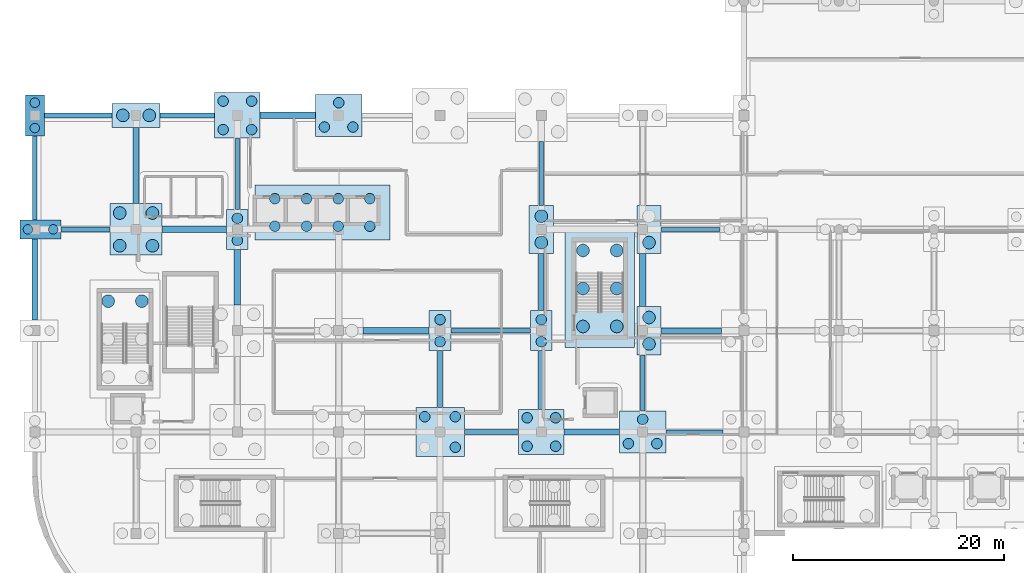
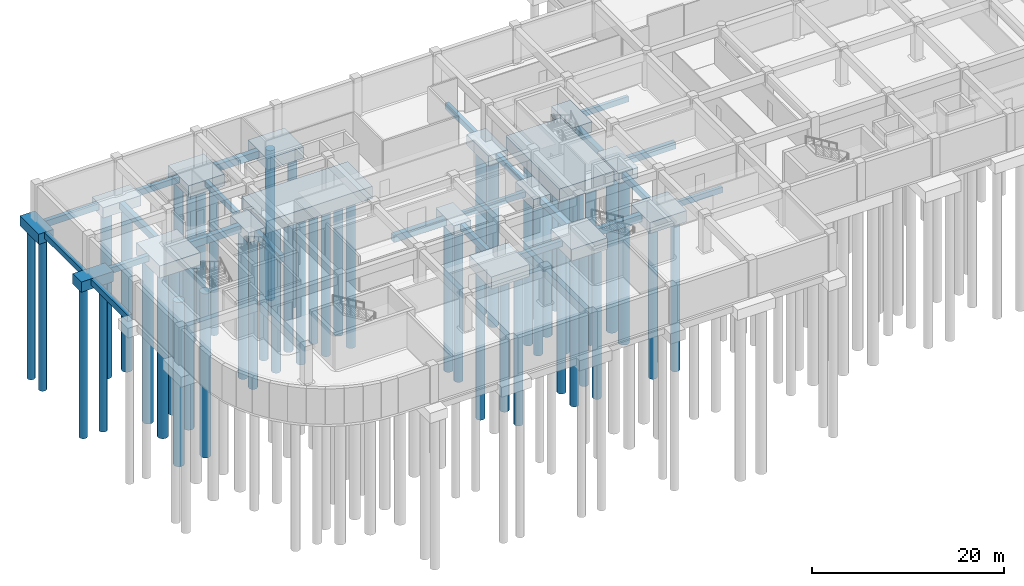
# One storey, part 2 of 47: 54 piles, 40 footings.
"""IFC4 building model written with IfcOpenShell, lengths in metres."""

from ifc_helpers import new_model, si_unit, direction, frame, origin, origin_2d, place, context, subcontext, project, spatial, rectangle, circle, extrude, material, material_profile, profile_set, type_object, element, save


model = new_model("IFC4")

# Units and contexts
model_context = context("Model", 3, precision=1e-05, world=origin(), true_north=direction((0.0, 1.0)))
body_context = subcontext(model_context, "Body", "Model", "MODEL_VIEW")
ifc_project = project(units=[si_unit("LENGTHUNIT", "METRE"), si_unit("AREAUNIT", "SQUARE_METRE"), si_unit("VOLUMEUNIT", "CUBIC_METRE"), si_unit("PLANEANGLEUNIT", "RADIAN"), si_unit("MASSUNIT", "GRAM", prefix="KILO")], contexts=[model_context])

# Site, building, storey
site_placement = place(None, origin())
site = spatial("IfcSite", under=ifc_project, at=site_placement, CompositionType="ELEMENT")
building_placement = place(site_placement, origin())
building = spatial("IfcBuilding", under=site, at=building_placement, Name="Cendralis Terraced Arcade", CompositionType="ELEMENT")
storey_placement = place(building_placement, frame((0.0, 0.0, -4.800048828125)))
storey = spatial("IfcBuildingStorey", under=building, at=storey_placement, Name="B1", CompositionType="ELEMENT", Elevation=-4.800048828125)

# Footings
ifc_material = material(Name="Concrete f'c 35 MPa", Category="concrete")
ifc_material_profile_1 = material_profile(ifc_material, rectangle(XDim=0.39990234375, YDim=0.699951171875, at=origin_2d()), Name="FB-400x700", Category="LoadBearing")
ifc_profile_set_1 = profile_set([ifc_material_profile_1], Name="Concrete f'c 35 MPa")
footing_type_1 = type_object("IfcFootingType", Name="FB-400x700", PredefinedType="FOOTING_BEAM", material=ifc_profile_set_1)
footing_1_placement = place(storey_placement, frame((59.800048828125, 19.199951171875, -0.800048828125), z_axis=(1.0, 0.0, 0.0), x_axis=(0.0, 1.0, 0.0)))
element("IfcFooting", 1, at=footing_1_placement, inside=storey, type_object=footing_type_1, Name="Reinforced Concrete Foundation Tie Beam FB-X-0024", PredefinedType="FOOTING_BEAM", context=body_context, shape_type="SweptSolid", body=[
    extrude(rectangle(XDim=0.39990234375, YDim=0.699951171875, at=origin_2d()), origin(), (0.0, 0.0, 1.0), 5.39990234375),
])
footing_2_placement = place(storey_placement, frame((39.425048828125, 28.800048828125, -0.800048828125), z_axis=(1.0, 0.0, 0.0), x_axis=(0.0, 1.0, 0.0)))
element("IfcFooting", 2, at=footing_2_placement, inside=storey, type_object=footing_type_1, Name="Reinforced Concrete Foundation Tie Beam FB-X-0034", PredefinedType="FOOTING_BEAM", context=body_context, shape_type="SweptSolid", body=[
    extrude(rectangle(XDim=0.39990234375, YDim=0.699951171875, at=origin_2d()), origin(), (0.0, 0.0, 1.0), 7.550048828125),
])
footing_3_placement = place(storey_placement, frame((59.35009765625, 38.39990234375, -0.800048828125), z_axis=(1.0, 0.0, 0.0), x_axis=(0.0, 1.0, 0.0)))
element("IfcFooting", 3, at=footing_3_placement, inside=storey, type_object=footing_type_1, Name="Reinforced Concrete Foundation Tie Beam FB-X-0044", PredefinedType="FOOTING_BEAM", context=body_context, shape_type="SweptSolid", body=[
    extrude(rectangle(XDim=0.39990234375, YDim=0.699951171875, at=origin_2d()), origin(), (0.0, 0.0, 1.0), 5.599853515625),
])
footing_4_placement = place(storey_placement, frame((19.199951171875, 40.300048828125, -0.800048828125), z_axis=(0.0, 1.0, 0.0), x_axis=(-1.0, 0.0, 0.0)))
element("IfcFooting", 4, at=footing_4_placement, inside=storey, type_object=footing_type_1, Name="Reinforced Concrete Foundation Tie Beam FB-Y-0164", PredefinedType="FOOTING_BEAM", context=body_context, shape_type="SweptSolid", body=[
    extrude(rectangle(XDim=0.39990234375, YDim=0.699951171875, at=origin_2d()), origin(), (0.0, 0.0, 1.0), 6.75),
])
ifc_material_profile_2 = material_profile(ifc_material, rectangle(XDim=0.449951171875, YDim=0.75, at=origin_2d()), Name="FB-450x750", Category="LoadBearing")
ifc_profile_set_2 = profile_set([ifc_material_profile_2], Name="Concrete f'c 35 MPa")
footing_type_2 = type_object("IfcFootingType", Name="FB-450x750", PredefinedType="FOOTING_BEAM", material=ifc_profile_set_2)
footing_5_placement = place(storey_placement, frame((40.699951171875, 19.199951171875, -0.824951171875), z_axis=(1.0, 0.0, 0.0), x_axis=(0.0, 1.0, 0.0)))
element("IfcFooting", 5, at=footing_5_placement, inside=storey, type_object=footing_type_2, Name="Reinforced Concrete Foundation Tie Beam FB-X-0022", PredefinedType="FOOTING_BEAM", context=body_context, shape_type="SweptSolid", body=[
    extrude(rectangle(XDim=0.449951171875, YDim=0.75, at=origin_2d()), origin(), (0.0, 0.0, 1.0), 5.150146484375),
])
footing_6_placement = place(storey_placement, frame((2.5, 38.39990234375, -0.824951171875), z_axis=(1.0, 0.0, 0.0), x_axis=(0.0, 1.0, 0.0)))
element("IfcFooting", 6, at=footing_6_placement, inside=storey, type_object=footing_type_2, Name="Reinforced Concrete Foundation Tie Beam FB-X-0042", PredefinedType="FOOTING_BEAM", context=body_context, shape_type="SweptSolid", body=[
    extrude(rectangle(XDim=0.449951171875, YDim=0.75, at=origin_2d()), origin(), (0.0, 0.0, 1.0), 4.64990234375),
])
footing_7_placement = place(storey_placement, frame((11.8798828125, 49.199951171875, -0.824951171875), z_axis=(1.0, 0.0, 0.0), x_axis=(0.0, 1.0, 0.0)))
element("IfcFooting", 7, at=footing_7_placement, inside=storey, type_object=footing_type_2, Name="Reinforced Concrete Foundation Tie Beam FB-X-0057", PredefinedType="FOOTING_BEAM", context=body_context, shape_type="SweptSolid", body=[
    extrude(rectangle(XDim=0.449951171875, YDim=0.75, at=origin_2d()), origin(), (0.0, 0.0, 1.0), 5.170166015625),
])
footing_8_placement = place(storey_placement, frame((0.0, 39.300048828125, -0.824951171875), z_axis=(0.0, 1.0, 0.0), x_axis=(-1.0, 0.0, 0.0)))
element("IfcFooting", 8, at=footing_8_placement, inside=storey, type_object=footing_type_2, Name="Reinforced Concrete Foundation Tie Beam FB-Y-0157", PredefinedType="FOOTING_BEAM", context=body_context, shape_type="SweptSolid", body=[
    extrude(rectangle(XDim=0.449951171875, YDim=0.75, at=origin_2d()), origin(), (0.0, 0.0, 1.0), 7.949951171875),
])
footing_9_placement = place(storey_placement, frame((48.0, 40.679931640625, -0.824951171875), z_axis=(0.0, 1.0, 0.0), x_axis=(-1.0, 0.0, 0.0)))
element("IfcFooting", 9, at=footing_9_placement, inside=storey, type_object=footing_type_2, Name="Reinforced Concrete Foundation Tie Beam FB-Y-0182", PredefinedType="FOOTING_BEAM", context=body_context, shape_type="SweptSolid", body=[
    extrude(rectangle(XDim=0.449951171875, YDim=0.75, at=origin_2d()), origin(), (0.0, 0.0, 1.0), 6.070068359375),
])
footing_10_placement = place(storey_placement, frame((57.60009765625, 21.199951171875, -0.824951171875), z_axis=(0.0, 1.0, 0.0), x_axis=(-1.0, 0.0, 0.0)))
element("IfcFooting", 10, at=footing_10_placement, inside=storey, type_object=footing_type_2, Name="Reinforced Concrete Foundation Tie Beam FB-Y-0192", PredefinedType="FOOTING_BEAM", context=body_context, shape_type="SweptSolid", body=[
    extrude(rectangle(XDim=0.449951171875, YDim=0.75, at=origin_2d()), origin(), (0.0, 0.0, 1.0), 5.320068359375),
])
ifc_material_profile_3 = material_profile(ifc_material, rectangle(XDim=0.5, YDim=0.800048828125, at=origin_2d()), Name="FB-500x800", Category="LoadBearing")
ifc_profile_set_3 = profile_set([ifc_material_profile_3], Name="Concrete f'c 35 MPa")
footing_type_3 = type_object("IfcFootingType", Name="FB-500x800", PredefinedType="FOOTING_BEAM", material=ifc_profile_set_3)
footing_11_placement = place(storey_placement, frame((0.89990234375, 49.199951171875, -0.849853515625), z_axis=(1.0, 0.0, 0.0), x_axis=(0.0, 1.0, 0.0)))
element("IfcFooting", 11, at=footing_11_placement, inside=storey, type_object=footing_type_3, Name="Reinforced Concrete Foundation Tie Beam FB-X-0056", PredefinedType="FOOTING_BEAM", context=body_context, shape_type="SweptSolid", body=[
    extrude(rectangle(XDim=0.5, YDim=0.800048828125, at=origin_2d()), origin(), (0.0, 0.0, 1.0), 6.420166015625),
])
footing_12_placement = place(storey_placement, frame((0.0, 29.824951171875, -0.849853515625), z_axis=(0.0, 1.0, 0.0), x_axis=(-1.0, 0.0, 0.0)))
element("IfcFooting", 12, at=footing_12_placement, inside=storey, type_object=footing_type_3, Name="Reinforced Concrete Foundation Tie Beam FB-Y-0156", PredefinedType="FOOTING_BEAM", context=body_context, shape_type="SweptSolid", body=[
    extrude(rectangle(XDim=0.5, YDim=0.800048828125, at=origin_2d()), origin(), (0.0, 0.0, 1.0), 7.675048828125),
])
footing_13_placement = place(storey_placement, frame((38.39990234375, 21.5, -0.849853515625), z_axis=(0.0, 1.0, 0.0), x_axis=(-1.0, 0.0, 0.0)))
element("IfcFooting", 13, at=footing_13_placement, inside=storey, type_object=footing_type_3, Name="Reinforced Concrete Foundation Tie Beam FB-Y-0176", PredefinedType="FOOTING_BEAM", context=body_context, shape_type="SweptSolid", body=[
    extrude(rectangle(XDim=0.5, YDim=0.800048828125, at=origin_2d()), origin(), (0.0, 0.0, 1.0), 5.39990234375),
])
footing_14_placement = place(storey_placement, frame((48.0, 30.699951171875, -0.849853515625), z_axis=(0.0, 1.0, 0.0), x_axis=(-1.0, 0.0, 0.0)))
element("IfcFooting", 14, at=footing_14_placement, inside=storey, type_object=footing_type_3, Name="Reinforced Concrete Foundation Tie Beam FB-Y-0181", PredefinedType="FOOTING_BEAM", context=body_context, shape_type="SweptSolid", body=[
    extrude(rectangle(XDim=0.5, YDim=0.800048828125, at=origin_2d()), origin(), (0.0, 0.0, 1.0), 5.420166015625),
])
ifc_material_profile_4 = material_profile(ifc_material, rectangle(XDim=0.550048828125, YDim=0.85009765625, at=origin_2d()), Name="FB-550x850", Category="LoadBearing")
ifc_profile_set_4 = profile_set([ifc_material_profile_4], Name="Concrete f'c 35 MPa")
footing_type_4 = type_object("IfcFootingType", Name="FB-550x850", PredefinedType="FOOTING_BEAM", material=ifc_profile_set_4)
footing_15_placement = place(storey_placement, frame((59.35009765625, 28.800048828125, -0.875), z_axis=(1.0, 0.0, 0.0), x_axis=(0.0, 1.0, 0.0)))
element("IfcFooting", 15, at=footing_15_placement, inside=storey, type_object=footing_type_4, Name="Reinforced Concrete Foundation Tie Beam FB-X-0035", PredefinedType="FOOTING_BEAM", context=body_context, shape_type="SweptSolid", body=[
    extrude(rectangle(XDim=0.550048828125, YDim=0.85009765625, at=origin_2d()), origin(), (0.0, 0.0, 1.0), 5.699951171875),
])
footing_16_placement = place(storey_placement, frame((9.60009765625, 40.85009765625, -0.875), z_axis=(0.0, 1.0, 0.0), x_axis=(-1.0, 0.0, 0.0)))
element("IfcFooting", 16, at=footing_16_placement, inside=storey, type_object=footing_type_4, Name="Reinforced Concrete Foundation Tie Beam FB-Y-0160", PredefinedType="FOOTING_BEAM", context=body_context, shape_type="SweptSolid", body=[
    extrude(rectangle(XDim=0.550048828125, YDim=0.85009765625, at=origin_2d()), origin(), (0.0, 0.0, 1.0), 7.199951171875),
])
footing_17_placement = place(storey_placement, frame((48.0, 21.35009765625, -0.875), z_axis=(0.0, 1.0, 0.0), x_axis=(-1.0, 0.0, 0.0)))
element("IfcFooting", 17, at=footing_17_placement, inside=storey, type_object=footing_type_4, Name="Reinforced Concrete Foundation Tie Beam FB-Y-0180", PredefinedType="FOOTING_BEAM", context=body_context, shape_type="SweptSolid", body=[
    extrude(rectangle(XDim=0.550048828125, YDim=0.85009765625, at=origin_2d()), origin(), (0.0, 0.0, 1.0), 5.5498046875),
])
ifc_material_profile_5 = material_profile(ifc_material, rectangle(XDim=0.60009765625, YDim=0.89990234375, at=origin_2d()), Name="FB-600x900", Category="LoadBearing")
ifc_profile_set_5 = profile_set([ifc_material_profile_5], Name="Concrete f'c 35 MPa")
footing_type_5 = type_object("IfcFootingType", Name="FB-600x900", PredefinedType="FOOTING_BEAM", material=ifc_profile_set_5)
footing_18_placement = place(storey_placement, frame((50.14990234375, 19.199951171875, -0.89990234375), z_axis=(1.0, 0.0, 0.0), x_axis=(0.0, 1.0, 0.0)))
element("IfcFooting", 18, at=footing_18_placement, inside=storey, type_object=footing_type_5, Name="Reinforced Concrete Foundation Tie Beam FB-X-0023", PredefinedType="FOOTING_BEAM", context=body_context, shape_type="SweptSolid", body=[
    extrude(rectangle(XDim=0.60009765625, YDim=0.89990234375, at=origin_2d()), origin(), (0.0, 0.0, 1.0), 5.25),
])
footing_19_placement = place(storey_placement, frame((31.080078125, 28.800048828125, -0.89990234375), z_axis=(1.0, 0.0, 0.0), x_axis=(0.0, 1.0, 0.0)))
element("IfcFooting", 19, at=footing_19_placement, inside=storey, type_object=footing_type_5, Name="Reinforced Concrete Foundation Tie Beam FB-X-0033", PredefinedType="FOOTING_BEAM", context=body_context, shape_type="SweptSolid", body=[
    extrude(rectangle(XDim=0.60009765625, YDim=0.89990234375, at=origin_2d()), origin(), (0.0, 0.0, 1.0), 6.294921875),
])
footing_20_placement = place(storey_placement, frame((12.050048828125, 38.39990234375, -0.89990234375), z_axis=(1.0, 0.0, 0.0), x_axis=(0.0, 1.0, 0.0)))
element("IfcFooting", 20, at=footing_20_placement, inside=storey, type_object=footing_type_5, Name="Reinforced Concrete Foundation Tie Beam FB-X-0043", PredefinedType="FOOTING_BEAM", context=body_context, shape_type="SweptSolid", body=[
    extrude(rectangle(XDim=0.60009765625, YDim=0.89990234375, at=origin_2d()), origin(), (0.0, 0.0, 1.0), 6.125),
])
for number, where, z_axis, x_axis, name in (
    (21, (21.35009765625, 49.199951171875, -0.89990234375), (1.0, 0.0, 0.0), (0.0, 1.0, 0.0), "Reinforced Concrete Foundation Tie Beam FB-X-0058"),
    (22, (19.199951171875, 31.25, -0.89990234375), (0.0, 1.0, 0.0), (-1.0, 0.0, 0.0), "Reinforced Concrete Foundation Tie Beam FB-Y-0163"),
):
    element("IfcFooting", number, at=place(storey_placement, frame(where, z_axis=z_axis, x_axis=x_axis)), inside=storey, type_object=footing_type_5, Name=name, PredefinedType="FOOTING_BEAM", context=body_context, shape_type="SweptSolid", body=[
        extrude(rectangle(XDim=0.60009765625, YDim=0.89990234375, at=origin_2d()), origin(), (0.0, 0.0, 1.0), 5.25),
    ])
footing_21_placement = place(storey_placement, frame((57.60009765625, 31.080078125, -0.89990234375), z_axis=(0.0, 1.0, 0.0), x_axis=(-1.0, 0.0, 0.0)))
element("IfcFooting", 23, at=footing_21_placement, inside=storey, type_object=footing_type_5, Name="Reinforced Concrete Foundation Tie Beam FB-Y-0193", PredefinedType="FOOTING_BEAM", context=body_context, shape_type="SweptSolid", body=[
    extrude(rectangle(XDim=0.60009765625, YDim=0.89990234375, at=origin_2d()), origin(), (0.0, 0.0, 1.0), 5.0400390625),
])
footing_type_6 = type_object("IfcFootingType", Name="PC-2P-1800x3900x1300", PredefinedType="PILE_CAP", material=ifc_material)
footing_22_placement = place(storey_placement, frame((0.0, 49.199951171875, -1.75), z_axis=(0.0, 0.0, 1.0), x_axis=(1.0, 0.0, 0.0)))
element("IfcFooting", 24, at=footing_22_placement, inside=storey, type_object=footing_type_6, Name="Reinforced Concrete Bored Pile Cap CAP-G1-F", PredefinedType="PILE_CAP", context=body_context, shape_type="SweptSolid", body=[
    extrude(rectangle(XDim=1.800048828125, YDim=3.89990234375, at=origin_2d()), origin(), (0.0, 0.0, 1.0), 1.300048828125),
])
footing_type_7 = type_object("IfcFootingType", Name="PC-2P-2050x3800x1280", PredefinedType="PILE_CAP", material=ifc_material)
for number, where, z_axis, x_axis, name in (
    (25, (19.199951171875, 38.39990234375, -1.72998046875), (0.0, 0.0, 1.0), (1.0, 0.0, 0.0), "Reinforced Concrete Bored Pile Cap CAP-G3-E"),
    (26, (38.39990234375, 28.800048828125, -1.72998046875), (0.0, 0.0, 1.0), (1.0, 0.0, 0.0), "Reinforced Concrete Bored Pile Cap CAP-G5-D"),
    (27, (48.0, 28.800048828125, -1.72998046875), (0.0, 0.0, 1.0), (1.0, 0.0, 0.0), "Reinforced Concrete Bored Pile Cap CAP-G6-D"),
):
    element("IfcFooting", number, at=place(storey_placement, frame(where, z_axis=z_axis, x_axis=x_axis)), inside=storey, type_object=footing_type_7, Name=name, PredefinedType="PILE_CAP", context=body_context, shape_type="SweptSolid", body=[
        extrude(rectangle(XDim=2.050048828125, YDim=3.800048828125, at=origin_2d()), origin(), (0.0, 0.0, 1.0), 1.280029296875),
    ])
footing_type_8 = type_object("IfcFootingType", Name="PC-2P-2300x4560x1320", PredefinedType="PILE_CAP", material=ifc_material)
for number, where, z_axis, x_axis, name in (
    (28, (48.0, 38.39990234375, -1.77001953125), (0.0, 0.0, 1.0), (1.0, 0.0, 0.0), "Reinforced Concrete Bored Pile Cap CAP-G6-E"),
    (29, (58.199951171875, 28.800048828125, -1.77001953125), (0.0, 0.0, 1.0), (1.0, 0.0, 0.0), "Reinforced Concrete Bored Pile Cap CAP-G7-D"),
    (30, (58.199951171875, 38.39990234375, -1.77001953125), (0.0, 0.0, 1.0), (1.0, 0.0, 0.0), "Reinforced Concrete Bored Pile Cap CAP-G7-E"),
):
    element("IfcFooting", number, at=place(storey_placement, frame(where, z_axis=z_axis, x_axis=x_axis)), inside=storey, type_object=footing_type_8, Name=name, PredefinedType="PILE_CAP", context=body_context, shape_type="SweptSolid", body=[
        extrude(rectangle(XDim=2.300048828125, YDim=4.56005859375, at=origin_2d()), origin(), (0.0, 0.0, 1.0), 1.320068359375),
    ])
footing_type_9 = type_object("IfcFootingType", Name="PC-2P-3900x1800x1300", PredefinedType="PILE_CAP", material=ifc_material)
footing_23_placement = place(storey_placement, frame((0.550048828125, 38.39990234375, -1.75), z_axis=(0.0, 0.0, 1.0), x_axis=(1.0, 0.0, 0.0)))
element("IfcFooting", 31, at=footing_23_placement, inside=storey, type_object=footing_type_9, Name="Reinforced Concrete Bored Pile Cap CAP-G1-E", PredefinedType="PILE_CAP", context=body_context, shape_type="SweptSolid", body=[
    extrude(rectangle(XDim=3.89990234375, YDim=1.800048828125, at=origin_2d()), origin(), (0.0, 0.0, 1.0), 1.300048828125),
])
footing_type_10 = type_object("IfcFootingType", Name="PC-2P-4560x2300x1320", PredefinedType="PILE_CAP", material=ifc_material)
footing_24_placement = place(storey_placement, frame((9.60009765625, 49.199951171875, -1.77001953125), z_axis=(0.0, 0.0, 1.0), x_axis=(1.0, 0.0, 0.0)))
element("IfcFooting", 32, at=footing_24_placement, inside=storey, type_object=footing_type_10, Name="Reinforced Concrete Bored Pile Cap CAP-G2-F", PredefinedType="PILE_CAP", context=body_context, shape_type="SweptSolid", body=[
    extrude(rectangle(XDim=4.56005859375, YDim=2.300048828125, at=origin_2d()), origin(), (0.0, 0.0, 1.0), 1.320068359375),
])
footing_type_11 = type_object("IfcFootingType", Name="PC-3P-4400x4000x1420", PredefinedType="PILE_CAP", material=ifc_material)
for number, where, z_axis, x_axis, name in (
    (33, (28.800048828125, 49.199951171875, -1.869873046875), (0.0, 0.0, 1.0), (1.0, 0.0, 0.0), "Reinforced Concrete Bored Pile Cap CAP-G4-F"),
    (34, (57.60009765625, 19.199951171875, -1.869873046875), (0.0, 0.0, 1.0), (1.0, 0.0, 0.0), "Reinforced Concrete Bored Pile Cap CAP-G7-C"),
):
    element("IfcFooting", number, at=place(storey_placement, frame(where, z_axis=z_axis, x_axis=x_axis)), inside=storey, type_object=footing_type_11, Name=name, PredefinedType="PILE_CAP", context=body_context, shape_type="SweptSolid", body=[
        extrude(rectangle(XDim=4.39990234375, YDim=4.0, at=origin_2d()), origin(), (0.0, 0.0, 1.0), 1.419921875),
    ])
footing_type_12 = type_object("IfcFootingType", Name="PC-4P-4300x4300x1480", PredefinedType="PILE_CAP", material=ifc_material)
for number, where, z_axis, x_axis, name in (
    (35, (19.199951171875, 49.199951171875, -1.929931640625), (0.0, 0.0, 1.0), (1.0, 0.0, 0.0), "Reinforced Concrete Bored Pile Cap CAP-G3-F"),
    (36, (48.0, 19.199951171875, -1.929931640625), (0.0, 0.0, 1.0), (1.0, 0.0, 0.0), "Reinforced Concrete Bored Pile Cap CAP-G6-C"),
):
    element("IfcFooting", number, at=place(storey_placement, frame(where, z_axis=z_axis, x_axis=x_axis)), inside=storey, type_object=footing_type_12, Name=name, PredefinedType="PILE_CAP", context=body_context, shape_type="SweptSolid", body=[
        extrude(rectangle(XDim=4.300048828125, YDim=4.300048828125, at=origin_2d()), origin(), (0.0, 0.0, 1.0), 1.47998046875),
    ])
footing_type_13 = type_object("IfcFootingType", Name="PC-4P-4600x4600x1520", PredefinedType="PILE_CAP", material=ifc_material)
footing_25_placement = place(storey_placement, frame((38.39990234375, 19.199951171875, -1.969970703125), z_axis=(0.0, 0.0, 1.0), x_axis=(1.0, 0.0, 0.0)))
element("IfcFooting", 37, at=footing_25_placement, inside=storey, type_object=footing_type_13, Name="Reinforced Concrete Bored Pile Cap CAP-G5-C", PredefinedType="PILE_CAP", context=body_context, shape_type="SweptSolid", body=[
    extrude(rectangle(XDim=4.60009765625, YDim=4.60009765625, at=origin_2d()), origin(), (0.0, 0.0, 1.0), 1.52001953125),
])
footing_type_14 = type_object("IfcFootingType", Name="PC-4P-4900x4900x1560", PredefinedType="PILE_CAP", material=ifc_material)
footing_26_placement = place(storey_placement, frame((9.60009765625, 38.39990234375, -2.010009765625), z_axis=(0.0, 0.0, 1.0), x_axis=(1.0, 0.0, 0.0)))
element("IfcFooting", 38, at=footing_26_placement, inside=storey, type_object=footing_type_14, Name="Reinforced Concrete Bored Pile Cap CAP-G2-E", PredefinedType="PILE_CAP", context=body_context, shape_type="SweptSolid", body=[
    extrude(rectangle(XDim=4.89990234375, YDim=4.89990234375, at=origin_2d()), origin(), (0.0, 0.0, 1.0), 1.56005859375),
])
footing_type_15 = type_object("IfcFootingType", Name="PC-CORE-6600x11200x1650", PredefinedType="PILE_CAP", material=ifc_material)
footing_27_placement = place(storey_placement, frame((53.550048828125, 32.800048828125, -2.099853515625), z_axis=(0.0, 0.0, 1.0), x_axis=(1.0, 0.0, 0.0)))
element("IfcFooting", 39, at=footing_27_placement, inside=storey, type_object=footing_type_15, Name="Reinforced Concrete Bored Pile Cap CAP-ST-04", PredefinedType="PILE_CAP", context=body_context, shape_type="SweptSolid", body=[
    extrude(rectangle(XDim=6.60009765625, YDim=11.199951171875, at=origin_2d()), origin(), (0.0, 0.0, 1.0), 1.64990234375),
])
footing_type_16 = type_object("IfcFootingType", Name="PC-LIFT-12800x5200x1550", PredefinedType="PILE_CAP", material=ifc_material)
footing_28_placement = place(storey_placement, frame((27.25, 40.0, -2.0), z_axis=(0.0, 0.0, 1.0), x_axis=(1.0, 0.0, 0.0)))
element("IfcFooting", 40, at=footing_28_placement, inside=storey, type_object=footing_type_16, Name="Reinforced Concrete Bored Pile Cap CAP-PL-V1", PredefinedType="PILE_CAP", context=body_context, shape_type="SweptSolid", body=[
    extrude(rectangle(XDim=12.800048828125, YDim=5.199951171875, at=origin_2d()), origin(), (0.0, 0.0, 1.0), 1.550048828125),
])

# Piles
ifc_material_profile_6 = material_profile(ifc_material, circle(Radius=0.5, at=origin_2d()), Name="PILE-D1000", Category="LoadBearing")
ifc_profile_set_6 = profile_set([ifc_material_profile_6], Name="Concrete f'c 35 MPa")
pile_type_1 = type_object("IfcPileType", Name="PILE-1000", PredefinedType="BORED", material=ifc_profile_set_6)
for number, where, z_axis, x_axis, name in (
    (41, (22.75, 38.699951171875, -1.89990234375), (0.0, 0.0, -1.0), (1.0, 0.0, 0.0), "Bored Concrete Pile PILE-C-CAP-PL-V1-8--450_-130"),
    (42, (25.75, 38.699951171875, -1.89990234375), (0.0, 0.0, -1.0), (1.0, 0.0, 0.0), "Bored Concrete Pile PILE-C-CAP-PL-V1-8--150_-130"),
    (43, (28.75, 38.699951171875, -1.89990234375), (0.0, 0.0, -1.0), (1.0, 0.0, 0.0), "Bored Concrete Pile PILE-C-CAP-PL-V1-8-150_-130"),
    (44, (31.75, 38.699951171875, -1.89990234375), (0.0, 0.0, -1.0), (1.0, 0.0, 0.0), "Bored Concrete Pile PILE-C-CAP-PL-V1-8-450_-130"),
    (45, (22.75, 41.300048828125, -1.89990234375), (0.0, 0.0, -1.0), (1.0, 0.0, 0.0), "Bored Concrete Pile PILE-C-CAP-PL-V1-8--450_130"),
    (46, (25.75, 41.300048828125, -1.89990234375), (0.0, 0.0, -1.0), (1.0, 0.0, 0.0), "Bored Concrete Pile PILE-C-CAP-PL-V1-8--150_130"),
    (47, (28.75, 41.300048828125, -1.89990234375), (0.0, 0.0, -1.0), (1.0, 0.0, 0.0), "Bored Concrete Pile PILE-C-CAP-PL-V1-8-150_130"),
    (48, (31.75, 41.300048828125, -1.89990234375), (0.0, 0.0, -1.0), (1.0, 0.0, 0.0), "Bored Concrete Pile PILE-C-CAP-PL-V1-8-450_130"),
):
    element("IfcPile", number, at=place(storey_placement, frame(where, z_axis=z_axis, x_axis=x_axis)), inside=storey, type_object=pile_type_1, Name=name, PredefinedType="BORED", context=body_context, shape_type="SweptSolid", body=[
        extrude(circle(Radius=0.5, at=origin_2d()), origin(), (0.0, 0.0, 1.0), 19.0),
    ])
for number, where, z_axis, x_axis, name in (
    (49, (19.199951171875, 37.35009765625, -1.6298828125), (0.0, 0.0, -1.0), (1.0, 0.0, 0.0), "Bored Concrete Pile PILE-C-CAP-G3-E-1-0_-105"),
    (50, (19.199951171875, 39.449951171875, -1.6298828125), (0.0, 0.0, -1.0), (1.0, 0.0, 0.0), "Bored Concrete Pile PILE-B-CAP-G3-E-1"),
):
    element("IfcPile", number, at=place(storey_placement, frame(where, z_axis=z_axis, x_axis=x_axis)), inside=storey, type_object=pile_type_1, Name=name, PredefinedType="BORED", context=body_context, shape_type="SweptSolid", body=[
        extrude(circle(Radius=0.5, at=origin_2d()), origin(), (0.0, 0.0, 1.0), 19.27001953125),
    ])
for number, where, z_axis, x_axis, name in (
    (51, (17.85009765625, 47.85009765625, -1.829833984375), (0.0, 0.0, -1.0), (1.0, 0.0, 0.0), "Bored Concrete Pile PILE-C-CAP-G3-F-4--135_-135"),
    (52, (20.550048828125, 47.85009765625, -1.829833984375), (0.0, 0.0, -1.0), (1.0, 0.0, 0.0), "Bored Concrete Pile PILE-C-CAP-G3-F-4-135_-135"),
    (53, (17.85009765625, 50.550048828125, -1.829833984375), (0.0, 0.0, -1.0), (1.0, 0.0, 0.0), "Bored Concrete Pile PILE-C-CAP-G3-F-4--135_135"),
    (54, (20.550048828125, 50.550048828125, -1.829833984375), (0.0, 0.0, -1.0), (1.0, 0.0, 0.0), "Bored Concrete Pile PILE-C-CAP-G3-F-4-135_135"),
):
    element("IfcPile", number, at=place(storey_placement, frame(where, z_axis=z_axis, x_axis=x_axis)), inside=storey, type_object=pile_type_1, Name=name, PredefinedType="BORED", context=body_context, shape_type="SweptSolid", body=[
        extrude(circle(Radius=0.5, at=origin_2d()), origin(), (0.0, 0.0, 1.0), 19.070068359375),
    ])
for number, where, z_axis, x_axis, name in (
    (55, (27.449951171875, 48.10009765625, -1.77001953125), (0.0, 0.0, -1.0), (1.0, 0.0, 0.0), "Bored Concrete Pile PILE-C-CAP-G4-F-3--135_-110"),
    (56, (30.14990234375, 48.10009765625, -1.77001953125), (0.0, 0.0, -1.0), (1.0, 0.0, 0.0), "Bored Concrete Pile PILE-C-CAP-G4-F-3-135_-110"),
    (57, (28.800048828125, 50.39990234375, -1.77001953125), (0.0, 0.0, -1.0), (1.0, 0.0, 0.0), "Bored Concrete Pile PILE-C-CAP-G4-F-3-0_120"),
):
    element("IfcPile", number, at=place(storey_placement, frame(where, z_axis=z_axis, x_axis=x_axis)), inside=storey, type_object=pile_type_1, Name=name, PredefinedType="BORED", context=body_context, shape_type="SweptSolid", body=[
        extrude(circle(Radius=0.5, at=origin_2d()), origin(), (0.0, 0.0, 1.0), 19.1298828125),
    ])
for number, where, z_axis, x_axis, name in (
    (58, (39.85009765625, 17.75, -1.869873046875), (0.0, 0.0, -1.0), (1.0, 0.0, 0.0), "Bored Concrete Pile PILE-C-CAP-G5-C-4-145_-145"),
    (59, (36.949951171875, 20.64990234375, -1.869873046875), (0.0, 0.0, -1.0), (1.0, 0.0, 0.0), "Bored Concrete Pile PILE-C-CAP-G5-C-4--145_145"),
    (60, (39.85009765625, 20.64990234375, -1.869873046875), (0.0, 0.0, -1.0), (1.0, 0.0, 0.0), "Bored Concrete Pile PILE-C-CAP-G5-C-4-145_145"),
):
    element("IfcPile", number, at=place(storey_placement, frame(where, z_axis=z_axis, x_axis=x_axis)), inside=storey, type_object=pile_type_1, Name=name, PredefinedType="BORED", context=body_context, shape_type="SweptSolid", body=[
        extrude(circle(Radius=0.5, at=origin_2d()), origin(), (0.0, 0.0, 1.0), 19.030029296875),
    ])
for number, where, z_axis, x_axis, name in (
    (61, (38.39990234375, 27.75, -1.6298828125), (0.0, 0.0, -1.0), (1.0, 0.0, 0.0), "Bored Concrete Pile PILE-C-CAP-G5-D-1-0_-105"),
    (62, (38.39990234375, 29.85009765625, -1.6298828125), (0.0, 0.0, -1.0), (1.0, 0.0, 0.0), "Bored Concrete Pile PILE-B-CAP-G5-D-1"),
):
    element("IfcPile", number, at=place(storey_placement, frame(where, z_axis=z_axis, x_axis=x_axis)), inside=storey, type_object=pile_type_1, Name=name, PredefinedType="BORED", context=body_context, shape_type="SweptSolid", body=[
        extrude(circle(Radius=0.5, at=origin_2d()), origin(), (0.0, 0.0, 1.0), 19.27001953125),
    ])
for number, where, z_axis, x_axis, name in (
    (63, (46.64990234375, 17.85009765625, -1.829833984375), (0.0, 0.0, -1.0), (1.0, 0.0, 0.0), "Bored Concrete Pile PILE-C-CAP-G6-C-4--135_-135"),
    (64, (49.35009765625, 17.85009765625, -1.829833984375), (0.0, 0.0, -1.0), (1.0, 0.0, 0.0), "Bored Concrete Pile PILE-C-CAP-G6-C-4-135_-135"),
    (65, (46.64990234375, 20.550048828125, -1.829833984375), (0.0, 0.0, -1.0), (1.0, 0.0, 0.0), "Bored Concrete Pile PILE-C-CAP-G6-C-4--135_135"),
    (66, (49.35009765625, 20.550048828125, -1.829833984375), (0.0, 0.0, -1.0), (1.0, 0.0, 0.0), "Bored Concrete Pile PILE-C-CAP-G6-C-4-135_135"),
):
    element("IfcPile", number, at=place(storey_placement, frame(where, z_axis=z_axis, x_axis=x_axis)), inside=storey, type_object=pile_type_1, Name=name, PredefinedType="BORED", context=body_context, shape_type="SweptSolid", body=[
        extrude(circle(Radius=0.5, at=origin_2d()), origin(), (0.0, 0.0, 1.0), 19.070068359375),
    ])
for number, where, z_axis, x_axis, name in (
    (67, (48.0, 27.75, -1.6298828125), (0.0, 0.0, -1.0), (1.0, 0.0, 0.0), "Bored Concrete Pile PILE-C-CAP-G6-D-1-0_-105"),
    (68, (48.0, 29.85009765625, -1.6298828125), (0.0, 0.0, -1.0), (1.0, 0.0, 0.0), "Bored Concrete Pile PILE-B-CAP-G6-D-1"),
):
    element("IfcPile", number, at=place(storey_placement, frame(where, z_axis=z_axis, x_axis=x_axis)), inside=storey, type_object=pile_type_1, Name=name, PredefinedType="BORED", context=body_context, shape_type="SweptSolid", body=[
        extrude(circle(Radius=0.5, at=origin_2d()), origin(), (0.0, 0.0, 1.0), 19.27001953125),
    ])
for number, where, z_axis, x_axis, name in (
    (69, (56.25, 18.10009765625, -1.77001953125), (0.0, 0.0, -1.0), (1.0, 0.0, 0.0), "Bored Concrete Pile PILE-C-CAP-G7-C-3--135_-110"),
    (70, (58.949951171875, 18.10009765625, -1.77001953125), (0.0, 0.0, -1.0), (1.0, 0.0, 0.0), "Bored Concrete Pile PILE-C-CAP-G7-C-3-135_-110"),
    (71, (57.60009765625, 20.39990234375, -1.77001953125), (0.0, 0.0, -1.0), (1.0, 0.0, 0.0), "Bored Concrete Pile PILE-C-CAP-G7-C-3-0_120"),
):
    element("IfcPile", number, at=place(storey_placement, frame(where, z_axis=z_axis, x_axis=x_axis)), inside=storey, type_object=pile_type_1, Name=name, PredefinedType="BORED", context=body_context, shape_type="SweptSolid", body=[
        extrude(circle(Radius=0.5, at=origin_2d()), origin(), (0.0, 0.0, 1.0), 19.1298828125),
    ])
ifc_material_profile_7 = material_profile(ifc_material, circle(Radius=0.60009765625, at=origin_2d()), Name="PILE-D1200", Category="LoadBearing")
ifc_profile_set_7 = profile_set([ifc_material_profile_7], Name="Concrete f'c 35 MPa")
pile_type_2 = type_object("IfcPileType", Name="PILE-1200", PredefinedType="BORED", material=ifc_profile_set_7)
for number, where, z_axis, x_axis, name in (
    (72, (6.949951171875, 31.60009765625, -2.0), (0.0, 0.0, -1.0), (1.0, 0.0, 0.0), "Bored Concrete Pile PILE-C-CAP-ST-01-6--160_360"),
    (73, (10.14990234375, 31.60009765625, -2.0), (0.0, 0.0, -1.0), (1.0, 0.0, 0.0), "Bored Concrete Pile PILE-C-CAP-ST-01-6-160_360"),
    (74, (51.949951171875, 29.199951171875, -2.0), (0.0, 0.0, -1.0), (1.0, 0.0, 0.0), "Bored Concrete Pile PILE-C-CAP-ST-04-6--160_-360"),
    (75, (55.14990234375, 29.199951171875, -2.0), (0.0, 0.0, -1.0), (1.0, 0.0, 0.0), "Bored Concrete Pile PILE-C-CAP-ST-04-6-160_-360"),
    (76, (51.949951171875, 32.800048828125, -2.0), (0.0, 0.0, -1.0), (1.0, 0.0, 0.0), "Bored Concrete Pile PILE-C-CAP-ST-04-6--160_0"),
    (77, (55.14990234375, 32.800048828125, -2.0), (0.0, 0.0, -1.0), (1.0, 0.0, 0.0), "Bored Concrete Pile PILE-C-CAP-ST-04-6-160_0"),
    (78, (51.949951171875, 36.39990234375, -2.0), (0.0, 0.0, -1.0), (1.0, 0.0, 0.0), "Bored Concrete Pile PILE-C-CAP-ST-04-6--160_360"),
    (79, (55.14990234375, 36.39990234375, -2.0), (0.0, 0.0, -1.0), (1.0, 0.0, 0.0), "Bored Concrete Pile PILE-C-CAP-ST-04-6-160_360"),
):
    element("IfcPile", number, at=place(storey_placement, frame(where, z_axis=z_axis, x_axis=x_axis)), inside=storey, type_object=pile_type_2, Name=name, PredefinedType="BORED", context=body_context, shape_type="SweptSolid", body=[
        extrude(circle(Radius=0.60009765625, at=origin_2d()), origin(), (0.0, 0.0, 1.0), 20.89990234375),
    ])
for number, where, z_axis, x_axis, name in (
    (80, (8.050048828125, 36.85009765625, -1.909912109375), (0.0, 0.0, -1.0), (1.0, 0.0, 0.0), "Bored Concrete Pile PILE-C-CAP-G2-E-4--155_-155"),
    (81, (11.14990234375, 36.85009765625, -1.909912109375), (0.0, 0.0, -1.0), (1.0, 0.0, 0.0), "Bored Concrete Pile PILE-C-CAP-G2-E-4-155_-155"),
    (82, (8.050048828125, 39.949951171875, -1.909912109375), (0.0, 0.0, -1.0), (1.0, 0.0, 0.0), "Bored Concrete Pile PILE-C-CAP-G2-E-4--155_155"),
    (83, (11.14990234375, 39.949951171875, -1.909912109375), (0.0, 0.0, -1.0), (1.0, 0.0, 0.0), "Bored Concrete Pile PILE-C-CAP-G2-E-4-155_155"),
):
    element("IfcPile", number, at=place(storey_placement, frame(where, z_axis=z_axis, x_axis=x_axis)), inside=storey, type_object=pile_type_2, Name=name, PredefinedType="BORED", context=body_context, shape_type="SweptSolid", body=[
        extrude(circle(Radius=0.60009765625, at=origin_2d()), origin(), (0.0, 0.0, 1.0), 20.989990234375),
    ])
for number, where, z_axis, x_axis, name in (
    (84, (8.35009765625, 49.199951171875, -1.669921875), (0.0, 0.0, -1.0), (1.0, 0.0, 0.0), "Bored Concrete Pile PILE-C-CAP-G2-F-1--125_0"),
    (85, (10.85009765625, 49.199951171875, -1.669921875), (0.0, 0.0, -1.0), (1.0, 0.0, 0.0), "Bored Concrete Pile PILE-B-CAP-G2-F-1"),
    (86, (48.0, 37.14990234375, -1.669921875), (0.0, 0.0, -1.0), (1.0, 0.0, 0.0), "Bored Concrete Pile PILE-C-CAP-G6-E-1-0_-125"),
    (87, (48.0, 39.64990234375, -1.669921875), (0.0, 0.0, -1.0), (1.0, 0.0, 0.0), "Bored Concrete Pile PILE-B-CAP-G6-E-1"),
    (88, (58.199951171875, 27.550048828125, -1.669921875), (0.0, 0.0, -1.0), (1.0, 0.0, 0.0), "Bored Concrete Pile PILE-C-CAP-G7-D-1-0_-125"),
    (89, (58.199951171875, 30.050048828125, -1.669921875), (0.0, 0.0, -1.0), (1.0, 0.0, 0.0), "Bored Concrete Pile PILE-B-CAP-G7-D-1"),
    (90, (58.199951171875, 37.14990234375, -1.669921875), (0.0, 0.0, -1.0), (1.0, 0.0, 0.0), "Bored Concrete Pile PILE-C-CAP-G7-E-1-0_-125"),
):
    element("IfcPile", number, at=place(storey_placement, frame(where, z_axis=z_axis, x_axis=x_axis)), inside=storey, type_object=pile_type_2, Name=name, PredefinedType="BORED", context=body_context, shape_type="SweptSolid", body=[
        extrude(circle(Radius=0.60009765625, at=origin_2d()), origin(), (0.0, 0.0, 1.0), 21.22998046875),
    ])
ifc_material_profile_8 = material_profile(ifc_material, circle(Radius=0.449951171875, at=origin_2d()), Name="PILE-D900", Category="LoadBearing")
ifc_profile_set_8 = profile_set([ifc_material_profile_8], Name="Concrete f'c 35 MPa")
pile_type_3 = type_object("IfcPileType", Name="PILE-900", PredefinedType="BORED", material=ifc_profile_set_8)
for number, where, z_axis, x_axis, name in (
    (91, (-0.64990234375, 38.39990234375, -1.64990234375), (0.0, 0.0, -1.0), (1.0, 0.0, 0.0), "Bored Concrete Pile PILE-C-CAP-G1-E-2--120_0"),
    (92, (1.75, 38.39990234375, -1.64990234375), (0.0, 0.0, -1.0), (1.0, 0.0, 0.0), "Bored Concrete Pile PILE-C-CAP-G1-E-2-120_0"),
    (93, (0.0, 48.0, -1.64990234375), (0.0, 0.0, -1.0), (1.0, 0.0, 0.0), "Bored Concrete Pile PILE-C-CAP-G1-F-2-0_-120"),
    (94, (0.0, 50.39990234375, -1.64990234375), (0.0, 0.0, -1.0), (1.0, 0.0, 0.0), "Bored Concrete Pile PILE-C-CAP-G1-F-2-0_120"),
):
    element("IfcPile", number, at=place(storey_placement, frame(where, z_axis=z_axis, x_axis=x_axis)), inside=storey, type_object=pile_type_3, Name=name, PredefinedType="BORED", context=body_context, shape_type="SweptSolid", body=[
        extrude(circle(Radius=0.449951171875, at=origin_2d()), origin(), (0.0, 0.0, 1.0), 19.25),
    ])

save(model, "model.ifc")
